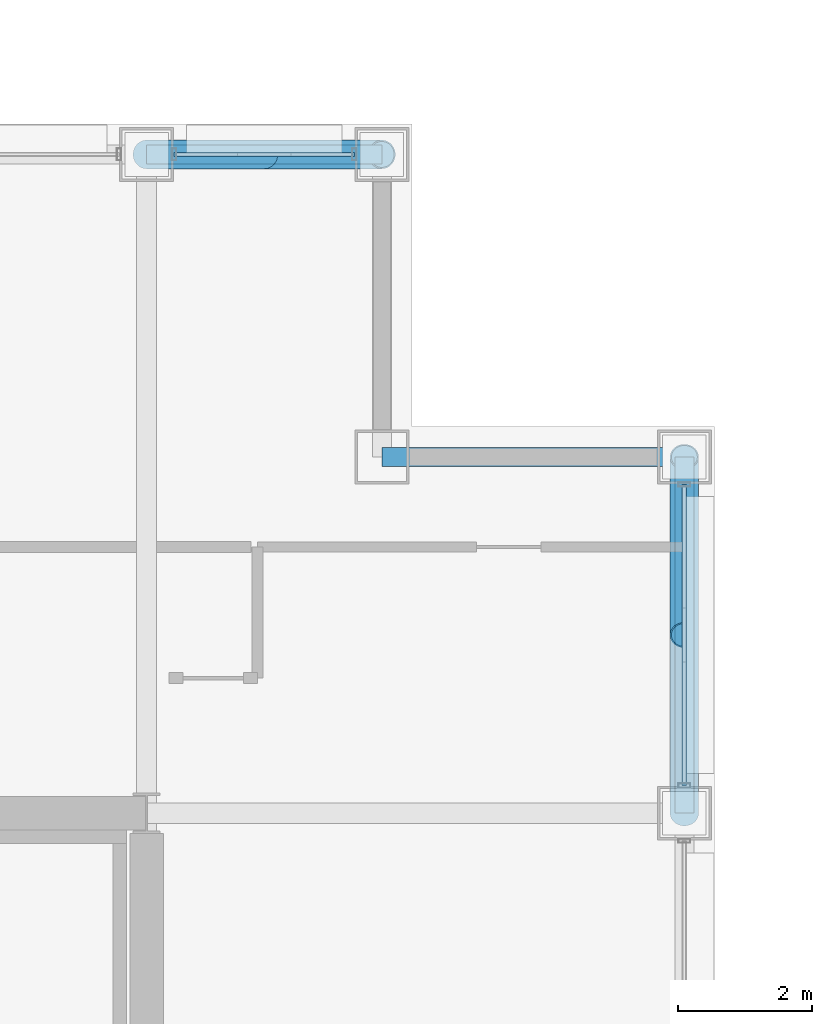
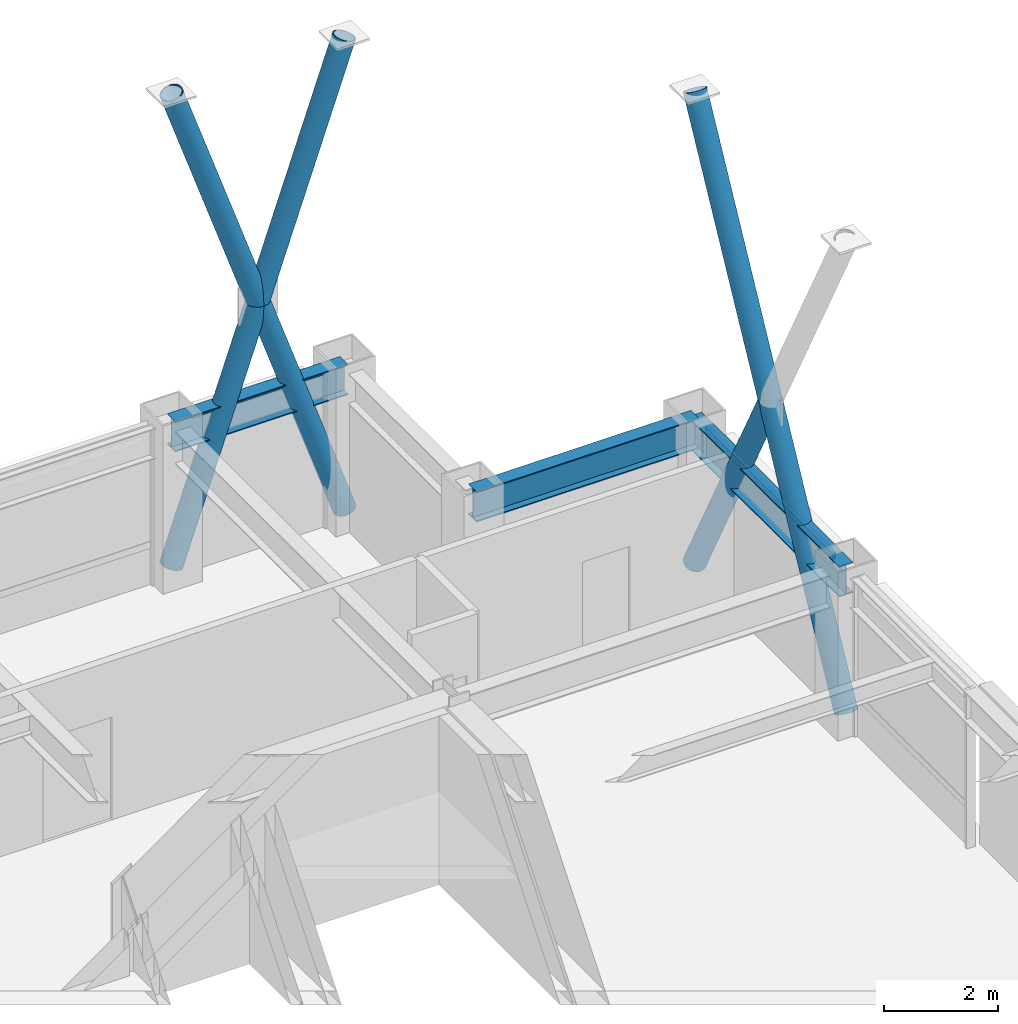
# One storey, part 24 of 33: 7 members, 3 beams, 2 elements without a shape of their own.
"""IFC4 building model written with IfcOpenShell, lengths in metres."""

import ifcopenshell
import ifcopenshell.guid

model = None  # the IFC model being written
_history = None  # IfcOwnerHistory: only IFC2X3 demands one
_inside = {}  # id of a spatial element -> (the spatial element, [elements in it])
_under = {}  # id of a project, library or spatial element -> (it, [spatial elements below it])
_declared = {}  # id of a project -> (the project, [libraries it declares])
_typed = {}  # id of a type object -> (the type object, [elements of that type])
_made_of = {}  # id of a material, layer set ... -> (it, [elements and type objects made of it])


def new_model(schema):
    """Start an empty IFC model of exactly this schema.

    Asked for "IFC4X3", IfcOpenShell would pick the latest addendum, in which some entities
    have other attributes; the version numbers below select the first issue.
    IFC2X3 requires an IfcOwnerHistory on every rooted entity: one is made here for all.
    """
    global model, _history
    if schema == "IFC4X3":
        model = ifcopenshell.file(schema_version=(4, 3, 0, 0))
    else:
        model = ifcopenshell.file(schema=schema)
    _inside.clear()
    _under.clear()
    _declared.clear()
    _typed.clear()
    _made_of.clear()
    _history = None
    if model.schema == "IFC2X3":
        org = make("IfcOrganization", Name="unknown")
        user = make(
            "IfcPersonAndOrganization",
            ThePerson=make("IfcPerson", FamilyName="unknown"),
            TheOrganization=org,
        )
        app = make(
            "IfcApplication",
            ApplicationDeveloper=org,
            Version="unknown",
            ApplicationFullName="unknown",
            ApplicationIdentifier="unknown",
        )
        _history = make(
            "IfcOwnerHistory",
            OwningUser=user,
            OwningApplication=app,
            ChangeAction="ADDED",
            CreationDate=0,
        )
    return model


def make(cls, **values):
    """One entity of the class cls with the attributes given. An attribute that is None is left unset."""
    return model.create_entity(
        cls, **{name: value for name, value in values.items() if value is not None}
    )


def rooted(cls, **values):
    """An entity with a GlobalId (a new one), such as an element, a storey or a relation."""
    return make(cls, GlobalId=ifcopenshell.guid.new(), OwnerHistory=_history, **values)


def si_unit(unit_type, name, prefix=None):
    """IfcSIUnit, for example si_unit("LENGTHUNIT", "METRE", prefix="MILLI")."""
    return make("IfcSIUnit", UnitType=unit_type, Prefix=prefix, Name=name)


def assignment(units):
    """IfcUnitAssignment: the units of a project."""
    return None if units is None else make("IfcUnitAssignment", Units=units)


def point(xyz):
    """IfcCartesianPoint."""
    return None if xyz is None else make("IfcCartesianPoint", Coordinates=xyz)


def direction(xyz):
    """IfcDirection."""
    return None if xyz is None else make("IfcDirection", DirectionRatios=xyz)


def frame(location, z_axis=None, x_axis=None):
    """IfcAxis2Placement3D, a coordinate frame: its origin and axes. An axis left out is left unset."""
    return make(
        "IfcAxis2Placement3D",
        Location=point(location),
        Axis=direction(z_axis),
        RefDirection=direction(x_axis),
    )


def frame_2d(location, x_axis=None):
    """IfcAxis2Placement2D, a coordinate frame in the plane: its origin and x axis."""
    return make(
        "IfcAxis2Placement2D", Location=point(location), RefDirection=direction(x_axis)
    )


def origin():
    """The frame at (0, 0, 0) with its axes left unset."""
    return frame((0.0, 0.0, 0.0))


def origin_2d():
    """The frame at (0, 0) in the plane with its x axis left unset."""
    return frame_2d((0.0, 0.0))


def place(relative_to, where):
    """IfcLocalPlacement: puts the frame where relative to a parent placement (None: the world)."""
    return make(
        "IfcLocalPlacement", PlacementRelTo=relative_to, RelativePlacement=where
    )


def context(
    kind, dimensions, precision=None, world=None, true_north=None, identifier=None
):
    """IfcGeometricRepresentationContext, for example the 3D "Model" context."""
    return make(
        "IfcGeometricRepresentationContext",
        ContextIdentifier=identifier,
        ContextType=kind,
        CoordinateSpaceDimension=dimensions,
        Precision=precision,
        WorldCoordinateSystem=world,
        TrueNorth=true_north,
    )


def subcontext(parent, identifier, kind, view, scale=None):
    """IfcGeometricRepresentationSubContext, for example "Body" below "Model"."""
    return make(
        "IfcGeometricRepresentationSubContext",
        ContextIdentifier=identifier,
        ContextType=kind,
        ParentContext=parent,
        TargetScale=scale,
        TargetView=view,
    )


def project(units=None, contexts=None):
    """IfcProject with its units and contexts."""
    return rooted(
        "IfcProject",
        Name="project",
        RepresentationContexts=contexts,
        UnitsInContext=assignment(units),
    )


def spatial(cls, under=None, at=None, **own):
    """A site, building, storey or space (cls), placed at a placement, below another one or the project."""
    s = rooted(cls, ObjectPlacement=at, **own)
    if under is not None:
        _under.setdefault(under.id(), (under, []))[1].append(s)
    return s


def profile(cls, at=None, kind="AREA", **sizes):
    """A parametric profile (cls). Its sizes go by their IFC names, for example OverallWidth=200.0."""
    return make(cls, ProfileType=kind, Position=at, **sizes)


def hollow_rectangle(**sizes):
    """IfcRectangleHollowProfileDef."""
    return profile("IfcRectangleHollowProfileDef", **sizes)


def hollow_circle(**sizes):
    """IfcCircleHollowProfileDef."""
    return profile("IfcCircleHollowProfileDef", **sizes)


def i_section(**sizes):
    """IfcIShapeProfileDef."""
    return profile("IfcIShapeProfileDef", **sizes)


def extrude(swept, where, along, depth):
    """IfcExtrudedAreaSolid: the profile swept, set in the frame where, extruded along a direction by depth."""
    return make(
        "IfcExtrudedAreaSolid",
        SweptArea=swept,
        Position=where,
        ExtrudedDirection=direction(along),
        Depth=depth,
    )


def shape(context_of_items, identifier, shape_type, items):
    """IfcShapeRepresentation: the items that make up one representation, for example the "Body"."""
    return make(
        "IfcShapeRepresentation",
        ContextOfItems=context_of_items,
        RepresentationIdentifier=identifier,
        RepresentationType=shape_type,
        Items=items,
    )


def material(Name=None, Category=None):
    """IfcMaterial."""
    return make("IfcMaterial", Name=Name, Category=Category)


def layer(
    of_material, thickness, ventilated=None, Name=None, Category=None, Priority=None
):
    """IfcMaterialLayer: one layer of a wall or slab, of a material (None: an air gap)."""
    return make(
        "IfcMaterialLayer",
        Material=of_material,
        LayerThickness=thickness,
        IsVentilated=ventilated,
        Name=Name,
        Category=Category,
        Priority=Priority,
    )


def layer_set(layers, Name=None):
    """IfcMaterialLayerSet."""
    return make("IfcMaterialLayerSet", MaterialLayers=layers, LayerSetName=Name)


def material_profile(
    of_material, cross_section, Name=None, Category=None, Priority=None
):
    """IfcMaterialProfile: a cross section and its material."""
    return make(
        "IfcMaterialProfile",
        Name=Name,
        Material=of_material,
        Profile=cross_section,
        Priority=Priority,
        Category=Category,
    )


def profile_set(profiles, Name=None, composite=None):
    """IfcMaterialProfileSet."""
    return make(
        "IfcMaterialProfileSet",
        Name=Name,
        MaterialProfiles=profiles,
        CompositeProfile=composite,
    )


def made_of(thing, what):
    """Note that an element or type object is made of a material, layer set ...; save() writes the relation."""
    if what is not None:
        _made_of.setdefault(what.id(), (what, []))[1].append(thing)
    return thing


def type_object(cls, material=None, **own):
    """A type object (cls), such as IfcWallType, which elements share."""
    return made_of(rooted(cls, **own), material)


def element(
    cls,
    number,
    at=None,
    inside=None,
    cuts=None,
    type_object=None,
    material=None,
    context=None,
    identifier="Body",
    shape_type=None,
    held_by="IfcProductDefinitionShape",
    body=None,
    shapes=None,
    **own,
):
    """One element of the class cls, such as IfcWall. Its Tag is "e" and its number.

    at: its placement. inside: the storey or other place that contains it. cuts: it is an
    opening in that element (IfcRelVoidsElement). A single representation is given by context,
    identifier, shape_type and body (its items); several are given by shapes. held_by: the class
    of the entity that holds the representations. save() writes the other relations.
    """
    e = rooted(cls, Tag="e%d" % number, ObjectPlacement=at, **own)
    if body is not None:
        shapes = [shape(context, identifier, shape_type, body)]
    if shapes is not None:
        e.Representation = make(held_by, Representations=shapes)
    if inside is not None:
        _inside.setdefault(inside.id(), (inside, []))[1].append(e)
    if cuts is not None:
        rooted(
            "IfcRelVoidsElement", RelatingBuildingElement=cuts, RelatedOpeningElement=e
        )
    if type_object is not None:
        _typed.setdefault(type_object.id(), (type_object, []))[1].append(e)
    return made_of(e, material)


def aggregate(whole, parts):
    """IfcRelAggregates: a whole, such as a stair, and the parts it consists of."""
    return rooted("IfcRelAggregates", RelatingObject=whole, RelatedObjects=parts)


def save(model, path):
    """Write the relations noted so far, then the file.

    IfcRelAggregates (storeys below a building ...), IfcRelContainedInSpatialStructure (elements
    in a storey), IfcRelDefinesByType, IfcRelAssociatesMaterial and IfcRelDeclares: one each for
    every whole, place, type object, material and project.
    """
    for whole, parts in _under.values():
        aggregate(whole, parts)
    for where, things in _inside.values():
        rooted(
            "IfcRelContainedInSpatialStructure",
            RelatedElements=things,
            RelatingStructure=where,
        )
    for kind, things in _typed.values():
        rooted("IfcRelDefinesByType", RelatedObjects=things, RelatingType=kind)
    for what, things in _made_of.values():
        rooted("IfcRelAssociatesMaterial", RelatedObjects=things, RelatingMaterial=what)
    for by, libraries in _declared.values():
        rooted("IfcRelDeclares", RelatingContext=by, RelatedDefinitions=libraries)
    model.write(path)


model = new_model("IFC4")

# Units and contexts
model_context = context("Model", 3, precision=1e-05, world=origin(), true_north=direction((0.0, 1.0)))
body_context = subcontext(model_context, "Body", "Model", "MODEL_VIEW")
ifc_project = project(units=[si_unit("LENGTHUNIT", "METRE"), si_unit("AREAUNIT", "SQUARE_METRE"), si_unit("VOLUMEUNIT", "CUBIC_METRE"), si_unit("PLANEANGLEUNIT", "RADIAN"), si_unit("MASSUNIT", "GRAM", prefix="KILO")], contexts=[model_context])

# Site, building, storey
site_placement = place(None, origin())
site = spatial("IfcSite", under=ifc_project, at=site_placement, CompositionType="ELEMENT")
building_placement = place(site_placement, origin())
building = spatial("IfcBuilding", under=site, at=building_placement, Name="Brelmoor Portico Tower", CompositionType="ELEMENT")
storey_placement = place(building_placement, frame((0.0, 0.0, 120.60009765625)))
storey = spatial("IfcBuildingStorey", under=building, at=storey_placement, Name="L31", CompositionType="ELEMENT", Elevation=120.60009765625)

# Beams
ifc_material_1 = material(Name="Steel Q355B", Category="steel")
ifc_material_profile_1 = material_profile(ifc_material_1, i_section(OverallWidth=0.280029296875, OverallDepth=0.64990234375, WebThickness=0.012939453125, FlangeThickness=0.02197265625, at=origin_2d()), Name="HN 650x280x13x22")
ifc_profile_set_1 = profile_set([ifc_material_profile_1], Name="Steel Q355B")
beam_type = type_object("IfcBeamType", Name="BM-SP-650", PredefinedType="SPANDREL", material=ifc_profile_set_1)
beam_1_placement = place(storey_placement, frame((18.050048828125, 15.050048828125, 3.074951171875), z_axis=(1.0, 0.0, 0.0), x_axis=(0.0, 1.0, 0.0)))
element("IfcBeam", 1, at=beam_1_placement, inside=storey, type_object=beam_type, Name="L31 Perimeter Spandrel Beam SP-09", PredefinedType="SPANDREL", context=body_context, shape_type="SweptSolid", body=[
    extrude(i_section(OverallWidth=0.280029296875, OverallDepth=0.64990234375, WebThickness=0.012939453125, FlangeThickness=0.02197265625, at=origin_2d()), origin(), (0.0, 0.0, 1.0), 4.5),
])
beam_2_placement = place(storey_placement, frame((14.550048828125, 19.550048828125, 3.074951171875), z_axis=(1.0, 0.0, 0.0), x_axis=(0.0, 1.0, 0.0)))
element("IfcBeam", 2, at=beam_2_placement, inside=storey, type_object=beam_type, Name="L31 Perimeter Spandrel Beam SP-14", PredefinedType="SPANDREL", context=body_context, shape_type="SweptSolid", body=[
    extrude(i_section(OverallWidth=0.280029296875, OverallDepth=0.64990234375, WebThickness=0.012939453125, FlangeThickness=0.02197265625, at=origin_2d()), origin(), (0.0, 0.0, 1.0), 3.5),
])
beam_3_placement = place(storey_placement, frame((22.550048828125, 9.75, 3.074951171875), z_axis=(0.0, 1.0, 0.0), x_axis=(-1.0, 0.0, 0.0)))
element("IfcBeam", 3, at=beam_3_placement, inside=storey, type_object=beam_type, Name="L31 Perimeter Spandrel Beam SP-24", PredefinedType="SPANDREL", context=body_context, shape_type="SweptSolid", body=[
    extrude(i_section(OverallWidth=0.280029296875, OverallDepth=0.64990234375, WebThickness=0.012939453125, FlangeThickness=0.02197265625, at=origin_2d()), origin(), (0.0, 0.0, 1.0), 5.300048828125),
])

# Members
ifc_material_profile_2 = material_profile(ifc_material_1, hollow_circle(Radius=0.212890625, WallThickness=0.02001953125, at=origin_2d()), Name="CHS 426x20")
ifc_profile_set_2 = profile_set([ifc_material_profile_2], Name="Steel Q355B")
member_type_1 = type_object("IfcMemberType", Name="MB-BELT-DIAG1", PredefinedType="BRACE", material=ifc_profile_set_2)
member_1_placement = place(storey_placement, frame((14.550048828125, 19.550048828125, 0.25), z_axis=(0.327436099292, 0.0, 0.944873325309), x_axis=(0.0, 1.0, 0.0)))
element("IfcMember", 4, at=member_1_placement, inside=storey, type_object=member_type_1, Name="L31 Continuous Mega-X Brace 068A", PredefinedType="BRACE", context=body_context, shape_type="SweptSolid", body=[
    extrude(hollow_circle(Radius=0.212890625, WallThickness=0.02001953125, at=origin_2d()), origin(), (0.0, 0.0, 1.0), 10.689208984375),
])
member_2_placement = place(storey_placement, frame((18.050048828125, 19.550048828125, 0.25), z_axis=(-0.327443165844, 0.0, 0.944870876439), x_axis=(0.0, -1.0, 0.0)))
element("IfcMember", 5, at=member_2_placement, inside=storey, type_object=member_type_1, Name="L31 Split Mega-X Brace 068B1", PredefinedType="BRACE", context=body_context, shape_type="SweptSolid", body=[
    extrude(hollow_circle(Radius=0.212890625, WallThickness=0.02001953125, at=origin_2d()), origin(), (0.0, 0.0, 1.0), 5.344482421875),
])
member_3_placement = place(storey_placement, frame((16.300048828125, 19.550048828125, 5.2998046875), z_axis=(-0.327429033028, 0.0, 0.94487577402), x_axis=(0.0, -1.0, 0.0)))
element("IfcMember", 6, at=member_3_placement, inside=storey, type_object=member_type_1, Name="L31 Split Mega-X Brace 068B2", PredefinedType="BRACE", context=body_context, shape_type="SweptSolid", body=[
    extrude(hollow_circle(Radius=0.212890625, WallThickness=0.02001953125, at=origin_2d()), origin(), (0.0, 0.0, 1.0), 5.3447265625),
])
member_4_placement = place(storey_placement, frame((22.550048828125, 9.75, 0.25), z_axis=(0.0, 0.464670709165, 0.885483558314), x_axis=(-1.0, 0.0, 0.0)))
element("IfcMember", 7, at=member_4_placement, inside=storey, type_object=member_type_1, Name="L31 Continuous Mega-X Brace 073A", PredefinedType="BRACE", context=body_context, shape_type="SweptSolid", body=[
    extrude(hollow_circle(Radius=0.212890625, WallThickness=0.02001953125, at=origin_2d()), origin(), (0.0, 0.0, 1.0), 11.406005859375),
])
member_5_placement = place(storey_placement, frame((22.550048828125, 15.050048828125, 0.25), z_axis=(0.0, -0.464696299147, 0.885470129117), x_axis=(1.0, 0.0, 0.0)))
element("IfcMember", 8, at=member_5_placement, inside=storey, type_object=member_type_1, Name="L31 Split Mega-X Brace 073B1", PredefinedType="BRACE", context=body_context, shape_type="SweptSolid", body=[
    extrude(hollow_circle(Radius=0.212890625, WallThickness=0.02001953125, at=origin_2d()), origin(), (0.0, 0.0, 1.0), 5.702880859375),
])

# Curtain wall, member
ifc_material_2 = material(Name="Anodised Aluminium Alloy 6063-T6", Category="aluminium")
ifc_layer = layer(ifc_material_2, 0.179931640625)
ifc_layer_set = layer_set([ifc_layer], Name="Anodised Aluminium Alloy 6063-T6")
curtain_wall_type = type_object("IfcCurtainWallType", Name="CW-TOWER-Z2-XB", PredefinedType="NOTDEFINED", material=ifc_layer_set)
curtain_wall_1_placement = place(storey_placement, origin())
curtain_wall_1 = element("IfcCurtainWall", 9, at=curtain_wall_1_placement, inside=storey, type_object=curtain_wall_type, Name="L31 Curtain Wall CW-L31-2R-3", PredefinedType="NOTDEFINED")
ifc_material_profile_3 = material_profile(ifc_material_2, hollow_rectangle(XDim=0.06494140625, YDim=0.139892578125, WallThickness=0.00390625, at=origin_2d()), Name="ALU TRANSOM 65x140")
ifc_profile_set_3 = profile_set([ifc_material_profile_3], Name="Anodised Aluminium Alloy 6063-T6")
member_type_2 = type_object("IfcMemberType", Name="MB-CW-TRAN-140", PredefinedType="USERDEFINED", material=ifc_profile_set_3)
member_6_placement = place(storey_placement, frame((14.9599609375, 19.550048828125, 3.329833984375), z_axis=(1.0, 0.0, 0.0), x_axis=(0.0, 1.0, 0.0)))
member_6 = element("IfcMember", 10, at=member_6_placement, type_object=member_type_2, Name="CW-L31-2R-3 Transom 1-00", ObjectType="TRANSOM", PredefinedType="USERDEFINED", context=body_context, shape_type="SweptSolid", body=[
    extrude(hollow_rectangle(XDim=0.06494140625, YDim=0.139892578125, WallThickness=0.00390625, at=origin_2d()), origin(), (0.0, 0.0, 1.0), 2.679931640625),
])
aggregate(curtain_wall_1, [member_6])

curtain_wall_2_placement = place(storey_placement, origin())
curtain_wall_2 = element("IfcCurtainWall", 11, at=curtain_wall_2_placement, inside=storey, type_object=curtain_wall_type, Name="L31 Curtain Wall CW-L31-4R-2", PredefinedType="NOTDEFINED")
member_7_placement = place(storey_placement, frame((22.550048828125, 10.159912109375, 3.329833984375), z_axis=(0.0, 1.0, 0.0), x_axis=(-1.0, 0.0, 0.0)))
member_7 = element("IfcMember", 12, at=member_7_placement, type_object=member_type_2, Name="CW-L31-4R-2 Transom 1-00", ObjectType="TRANSOM", PredefinedType="USERDEFINED", context=body_context, shape_type="SweptSolid", body=[
    extrude(hollow_rectangle(XDim=0.06494140625, YDim=0.139892578125, WallThickness=0.00390625, at=origin_2d()), origin(), (0.0, 0.0, 1.0), 4.47998046875),
])
aggregate(curtain_wall_2, [member_7])

save(model, "model.ifc")
